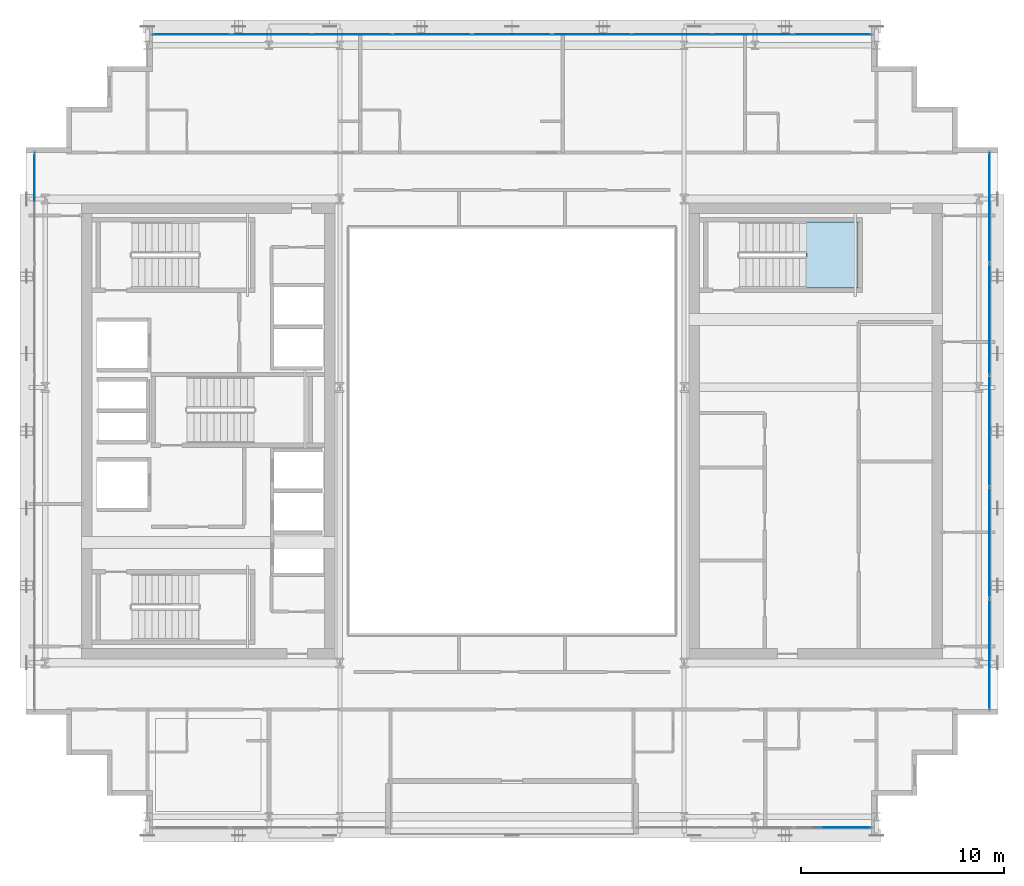
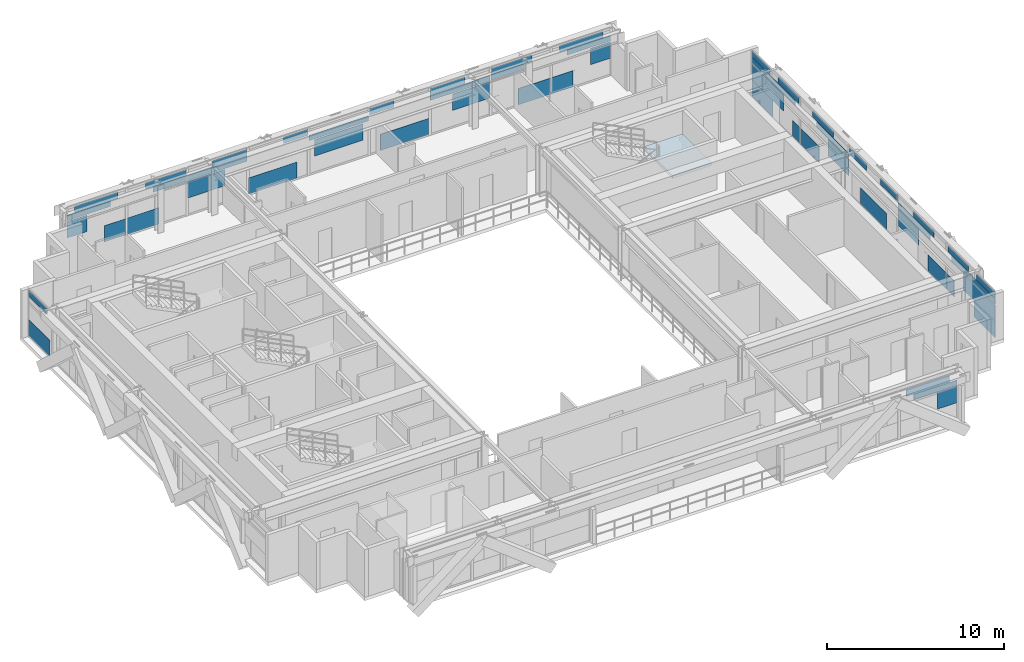
# One storey, part 21 of 32: 54 plates, 1 slab, 5 elements without a shape of their own.
"""IFC4 building model written with IfcOpenShell, lengths in metres."""

from ifc_helpers import new_model, si_unit, direction, frame, origin, origin_2d, place, context, subcontext, project, spatial, polyline, rectangle, outline, extrude, source, transform, mapped, material, layer, layer_set, type_object, element, aggregate, save


model = new_model("IFC4")

# Units and contexts
model_context = context("Model", 3, precision=1e-05, world=origin(), true_north=direction((0.0, 1.0)))
body_context = subcontext(model_context, "Body", "Model", "MODEL_VIEW")
ifc_project = project(units=[si_unit("LENGTHUNIT", "METRE"), si_unit("AREAUNIT", "SQUARE_METRE"), si_unit("VOLUMEUNIT", "CUBIC_METRE"), si_unit("PLANEANGLEUNIT", "RADIAN"), si_unit("MASSUNIT", "GRAM", prefix="KILO")], contexts=[model_context])

# Site, building, storey
site_placement = place(None, origin())
site = spatial("IfcSite", under=ifc_project, at=site_placement, CompositionType="ELEMENT")
building_placement = place(site_placement, origin())
building = spatial("IfcBuilding", under=site, at=building_placement, Name="Ocotamira Hotel", CompositionType="ELEMENT")
storey_placement = place(building_placement, frame((0.0, 0.0, 217.199951171875)))
storey = spatial("IfcBuildingStorey", under=building, at=storey_placement, Name="L55", CompositionType="ELEMENT", Elevation=217.199951171875)

# Stair, slab
ifc_material_1 = material(Name="Concrete C40/50", Category="concrete")
stair_type = type_object("IfcStairType", Name="ST-CORE-1560", PredefinedType="HALF_TURN_STAIR", material=ifc_material_1)
stair_placement = place(storey_placement, origin())
stair = element("IfcStair", 1, at=stair_placement, inside=storey, type_object=stair_type, Name="L55 Exit Stair ST-4", PredefinedType="HALF_TURN_STAIR")
ifc_layer_1 = layer(ifc_material_1, 0.199951171875)
ifc_layer_set_1 = layer_set([ifc_layer_1], Name="Concrete C40/50")
slab_type = type_object("IfcSlabType", Name="SLB-LAND-200", PredefinedType="LANDING", material=ifc_layer_set_1)
slab_placement = place(storey_placement, frame((0.0, 0.0, 1.60009765625)))
slab = element("IfcSlab", 2, at=slab_placement, type_object=slab_type, Name="ST-4 landing 1", PredefinedType="LANDING", context=body_context, shape_type="SweptSolid", body=[
    extrude(outline(polyline([(46.530029296875, 33.050048828125), (49.090087890625, 33.050048828125), (49.090087890625, 36.330078125), (46.530029296875, 36.330078125), (46.530029296875, 33.050048828125)])), origin(), (0.0, 0.0, 1.0), 0.199951171875),
])
aggregate(stair, [slab])

# Curtain wall, plate
ifc_material_2 = material(Name="Anodised pale-metal aluminium and solar glass", Category="aluminium")
ifc_layer_2 = layer(ifc_material_2, 0.199951171875)
ifc_layer_set_2 = layer_set([ifc_layer_2], Name="Anodised pale-metal aluminium and solar glass")
curtain_wall_type = type_object("IfcCurtainWallType", Name="CW-SYS4-Z3", PredefinedType="NOTDEFINED", material=ifc_layer_set_2)
curtain_wall_1_placement = place(storey_placement, origin())
curtain_wall_1 = element("IfcCurtainWall", 3, at=curtain_wall_1_placement, inside=storey, type_object=curtain_wall_type, Name="L55 Curtain Wall CW-4 CW-L55-S2", PredefinedType="NOTDEFINED")
ifc_material_3 = material(Name="Double-silver low-E insulated solar glass", Category="glass")
ifc_layer_3 = layer(ifc_material_3, 0.031982421875)
ifc_layer_set_3 = layer_set([ifc_layer_3], Name="Double-silver low-E insulated solar glass")
plate_type = type_object("IfcPlateType", Name="CWP-VISION-32", PredefinedType="CURTAIN_PANEL", material=ifc_layer_set_3)
shared_shape_1 = source(origin(), body_context, "Body", "SweptSolid", [
    extrude(rectangle(XDim=1.296875, YDim=0.031982421875, at=origin_2d()), origin(), (0.0, 0.0, 1.0), 1.11865234375),
])
plate_1_placement = place(storey_placement, frame((49.071533203125, 6.419921875, 1.19384765625), z_axis=(0.0, 0.0, 1.0), x_axis=(1.0, 0.0, 0.0)))
plate_1 = element("IfcPlate", 4, at=plate_1_placement, type_object=plate_type, Name="CW-4 panel 3.1.2", PredefinedType="CURTAIN_PANEL", context=body_context, shape_type="MappedRepresentation", body=[
    mapped(shared_shape_1, transform((0.0, 0.0, 0.0), scale=1.0)),
])

# Curtain wall, plates
curtain_wall_2_placement = place(storey_placement, origin())
curtain_wall_2 = element("IfcCurtainWall", 5, at=curtain_wall_2_placement, inside=storey, type_object=curtain_wall_type, Name="L55 Curtain Wall CW-4 CW-L55-N", PredefinedType="NOTDEFINED")
plate_2_placement = place(storey_placement, frame((14.928466796875, 45.580078125, 1.19384765625), z_axis=(0.0, 0.0, 1.0), x_axis=(1.0, 0.0, 0.0)))
plate_2 = element("IfcPlate", 6, at=plate_2_placement, type_object=plate_type, Name="CW-4 panel 1.1.1", PredefinedType="CURTAIN_PANEL", context=body_context, shape_type="MappedRepresentation", body=[
    mapped(shared_shape_1, transform((0.0, 0.0, 0.0), scale=1.0)),
])
plate_3_placement = place(storey_placement, frame((49.071533203125, 45.580078125, 1.19384765625), z_axis=(0.0, 0.0, 1.0), x_axis=(1.0, 0.0, 0.0)))
plate_3 = element("IfcPlate", 7, at=plate_3_placement, type_object=plate_type, Name="CW-4 panel 9.1.2", PredefinedType="CURTAIN_PANEL", context=body_context, shape_type="MappedRepresentation", body=[
    mapped(shared_shape_1, transform((0.0, 0.0, 0.0), scale=1.0)),
])

# Plate
shared_shape_2 = source(origin(), body_context, "Body", "SweptSolid", [
    extrude(rectangle(XDim=2.8271484375, YDim=0.031982421875, at=origin_2d()), origin(), (0.0, 0.0, 1.0), 0.35400390625),
])
plate_4_placement = place(storey_placement, frame((48.306396484375, 6.419921875, 2.3876953125), z_axis=(0.0, 0.0, 1.0), x_axis=(1.0, 0.0, 0.0)))
plate_4 = element("IfcPlate", 8, at=plate_4_placement, type_object=plate_type, Name="CW-4 panel 3.2.2", PredefinedType="CURTAIN_PANEL", context=body_context, shape_type="MappedRepresentation", body=[
    mapped(shared_shape_2, transform((0.0, 0.0, 0.0), scale=1.0)),
])

plate_5_placement = place(storey_placement, frame((15.693603515625, 45.580078125, 2.3876953125), z_axis=(0.0, 0.0, 1.0), x_axis=(1.0, 0.0, 0.0)))
plate_5 = element("IfcPlate", 9, at=plate_5_placement, type_object=plate_type, Name="CW-4 panel 1.2.1", PredefinedType="CURTAIN_PANEL", context=body_context, shape_type="MappedRepresentation", body=[
    mapped(shared_shape_2, transform((0.0, 0.0, 0.0), scale=1.0)),
])

plate_6_placement = place(storey_placement, frame((48.306396484375, 45.580078125, 2.3876953125), z_axis=(0.0, 0.0, 1.0), x_axis=(1.0, 0.0, 0.0)))
plate_6 = element("IfcPlate", 10, at=plate_6_placement, type_object=plate_type, Name="CW-4 panel 9.2.2", PredefinedType="CURTAIN_PANEL", context=body_context, shape_type="MappedRepresentation", body=[
    mapped(shared_shape_2, transform((0.0, 0.0, 0.0), scale=1.0)),
])

shared_shape_3 = source(origin(), body_context, "Body", "SweptSolid", [
    extrude(rectangle(XDim=2.82080078125, YDim=0.031982421875, at=origin_2d()), origin(), (0.0, 0.0, 1.0), 0.435546875),
])
plate_7_placement = place(storey_placement, frame((47.813720703125, 6.419921875, 2.76953125), z_axis=(0.0, 0.0, 1.0), x_axis=(1.0, 0.0, 0.0)))
plate_7 = element("IfcPlate", 11, at=plate_7_placement, type_object=plate_type, Name="CW-4 panel 3.2.1", PredefinedType="CURTAIN_PANEL", context=body_context, shape_type="MappedRepresentation", body=[
    mapped(shared_shape_3, transform((0.0, 0.0, 0.0), scale=1.0)),
])

aggregate(curtain_wall_1, [plate_1, plate_7, plate_4])

plate_8_placement = place(storey_placement, frame((16.186279296875, 45.580078125, 2.76953125), z_axis=(0.0, 0.0, 1.0), x_axis=(1.0, 0.0, 0.0)))
plate_8 = element("IfcPlate", 12, at=plate_8_placement, type_object=plate_type, Name="CW-4 panel 1.2.2", PredefinedType="CURTAIN_PANEL", context=body_context, shape_type="MappedRepresentation", body=[
    mapped(shared_shape_3, transform((0.0, 0.0, 0.0), scale=1.0)),
])

plate_9_placement = place(storey_placement, frame((47.813720703125, 45.580078125, 2.76953125), z_axis=(0.0, 0.0, 1.0), x_axis=(1.0, 0.0, 0.0)))
plate_9 = element("IfcPlate", 13, at=plate_9_placement, type_object=plate_type, Name="CW-4 panel 9.2.1", PredefinedType="CURTAIN_PANEL", context=body_context, shape_type="MappedRepresentation", body=[
    mapped(shared_shape_3, transform((0.0, 0.0, 0.0), scale=1.0)),
])

shared_shape_4 = source(origin(), body_context, "Body", "SweptSolid", [
    extrude(rectangle(XDim=1.400634765625, YDim=0.031982421875, at=origin_2d()), origin(), (0.0, 0.0, 1.0), 1.118896484375),
])
plate_10_placement = place(storey_placement, frame((17.415283203125, 45.580078125, 0.0751953125), z_axis=(0.0, 0.0, 1.0), x_axis=(1.0, 0.0, 0.0)))
plate_10 = element("IfcPlate", 14, at=plate_10_placement, type_object=plate_type, Name="CW-4 panel 1.1.2", PredefinedType="CURTAIN_PANEL", context=body_context, shape_type="MappedRepresentation", body=[
    mapped(shared_shape_4, transform((0.0, 0.0, 0.0), scale=1.0)),
])

plate_11_placement = place(storey_placement, frame((46.584716796875, 45.580078125, 0.0751953125), z_axis=(0.0, 0.0, 1.0), x_axis=(1.0, 0.0, 0.0)))
plate_11 = element("IfcPlate", 15, at=plate_11_placement, type_object=plate_type, Name="CW-4 panel 9.1.1", PredefinedType="CURTAIN_PANEL", context=body_context, shape_type="MappedRepresentation", body=[
    mapped(shared_shape_4, transform((0.0, 0.0, 0.0), scale=1.0)),
])

shared_shape_5 = source(origin(), body_context, "Body", "SweptSolid", [
    extrude(rectangle(XDim=2.089599609375, YDim=0.031982421875, at=origin_2d()), origin(), (0.0, 0.0, 1.0), 1.118896484375),
])
plate_12_placement = place(storey_placement, frame((19.240234375, 45.580078125, 0.0751953125), z_axis=(0.0, 0.0, 1.0), x_axis=(1.0, 0.0, 0.0)))
plate_12 = element("IfcPlate", 16, at=plate_12_placement, type_object=plate_type, Name="CW-4 panel 2.1.1", PredefinedType="CURTAIN_PANEL", context=body_context, shape_type="MappedRepresentation", body=[
    mapped(shared_shape_5, transform((0.0, 0.0, 0.0), scale=1.0)),
])

plate_13_placement = place(storey_placement, frame((44.759765625, 45.580078125, 0.0751953125), z_axis=(0.0, 0.0, 1.0), x_axis=(1.0, 0.0, 0.0)))
plate_13 = element("IfcPlate", 17, at=plate_13_placement, type_object=plate_type, Name="CW-4 panel 8.1.1", PredefinedType="CURTAIN_PANEL", context=body_context, shape_type="MappedRepresentation", body=[
    mapped(shared_shape_5, transform((0.0, 0.0, 0.0), scale=1.0)),
])

shared_shape_6 = source(origin(), body_context, "Body", "SweptSolid", [
    extrude(rectangle(XDim=2.66796875, YDim=0.031982421875, at=origin_2d()), origin(), (0.0, 0.0, 1.0), 0.435546875),
])
plate_14_placement = place(storey_placement, frame((20.737060546875, 45.580078125, 2.76953125), z_axis=(0.0, 0.0, 1.0), x_axis=(1.0, 0.0, 0.0)))
plate_14 = element("IfcPlate", 18, at=plate_14_placement, type_object=plate_type, Name="CW-4 panel 2.2.1", PredefinedType="CURTAIN_PANEL", context=body_context, shape_type="MappedRepresentation", body=[
    mapped(shared_shape_6, transform((0.0, 0.0, 0.0), scale=1.0)),
])

plate_15_placement = place(storey_placement, frame((43.262939453125, 45.580078125, 2.76953125), z_axis=(0.0, 0.0, 1.0), x_axis=(1.0, 0.0, 0.0)))
plate_15 = element("IfcPlate", 19, at=plate_15_placement, type_object=plate_type, Name="CW-4 panel 8.2.2", PredefinedType="CURTAIN_PANEL", context=body_context, shape_type="MappedRepresentation", body=[
    mapped(shared_shape_6, transform((0.0, 0.0, 0.0), scale=1.0)),
])

shared_shape_7 = source(origin(), body_context, "Body", "SweptSolid", [
    extrude(rectangle(XDim=2.17822265625, YDim=0.031982421875, at=origin_2d()), origin(), (0.0, 0.0, 1.0), 0.3818359375),
])
plate_16_placement = place(storey_placement, frame((20.98193359375, 45.580078125, 2.3876953125), z_axis=(0.0, 0.0, 1.0), x_axis=(1.0, 0.0, 0.0)))
plate_16 = element("IfcPlate", 20, at=plate_16_placement, type_object=plate_type, Name="CW-4 panel 2.2.2", PredefinedType="CURTAIN_PANEL", context=body_context, shape_type="MappedRepresentation", body=[
    mapped(shared_shape_7, transform((0.0, 0.0, 0.0), scale=1.0)),
])

plate_17_placement = place(storey_placement, frame((43.01806640625, 45.580078125, 2.3876953125), z_axis=(0.0, 0.0, 1.0), x_axis=(1.0, 0.0, 0.0)))
plate_17 = element("IfcPlate", 21, at=plate_17_placement, type_object=plate_type, Name="CW-4 panel 8.2.1", PredefinedType="CURTAIN_PANEL", context=body_context, shape_type="MappedRepresentation", body=[
    mapped(shared_shape_7, transform((0.0, 0.0, 0.0), scale=1.0)),
])

shared_shape_8 = source(origin(), body_context, "Body", "SweptSolid", [
    extrude(rectangle(XDim=2.425537109375, YDim=0.031982421875, at=origin_2d()), origin(), (0.0, 0.0, 1.0), 1.11865234375),
])
plate_18_placement = place(storey_placement, frame((23.364013671875, 45.580078125, 1.19384765625), z_axis=(0.0, 0.0, 1.0), x_axis=(1.0, 0.0, 0.0)))
plate_18 = element("IfcPlate", 22, at=plate_18_placement, type_object=plate_type, Name="CW-4 panel 3.1.1", PredefinedType="CURTAIN_PANEL", context=body_context, shape_type="MappedRepresentation", body=[
    mapped(shared_shape_8, transform((0.0, 0.0, 0.0), scale=1.0)),
])

plate_19_placement = place(storey_placement, frame((40.635986328125, 45.580078125, 1.19384765625), z_axis=(0.0, 0.0, 1.0), x_axis=(1.0, 0.0, 0.0)))
plate_19 = element("IfcPlate", 23, at=plate_19_placement, type_object=plate_type, Name="CW-4 panel 7.1.1", PredefinedType="CURTAIN_PANEL", context=body_context, shape_type="MappedRepresentation", body=[
    mapped(shared_shape_8, transform((0.0, 0.0, 0.0), scale=1.0)),
])

shared_shape_9 = source(origin(), body_context, "Body", "SweptSolid", [
    extrude(rectangle(XDim=3.87548828125, YDim=0.031982421875, at=origin_2d()), origin(), (0.0, 0.0, 1.0), 0.35400390625),
])
plate_20_placement = place(storey_placement, frame((24.0888671875, 45.580078125, 2.3876953125), z_axis=(0.0, 0.0, 1.0), x_axis=(1.0, 0.0, 0.0)))
plate_20 = element("IfcPlate", 24, at=plate_20_placement, type_object=plate_type, Name="CW-4 panel 3.2.1", PredefinedType="CURTAIN_PANEL", context=body_context, shape_type="MappedRepresentation", body=[
    mapped(shared_shape_9, transform((0.0, 0.0, 0.0), scale=1.0)),
])

plate_21_placement = place(storey_placement, frame((32.0, 45.580078125, 2.3876953125), z_axis=(0.0, 0.0, 1.0), x_axis=(1.0, 0.0, 0.0)))
plate_21 = element("IfcPlate", 25, at=plate_21_placement, type_object=plate_type, Name="CW-4 panel 5.2.1", PredefinedType="CURTAIN_PANEL", context=body_context, shape_type="MappedRepresentation", body=[
    mapped(shared_shape_9, transform((0.0, 0.0, 0.0), scale=1.0)),
])

plate_22_placement = place(storey_placement, frame((39.9111328125, 45.580078125, 2.3876953125), z_axis=(0.0, 0.0, 1.0), x_axis=(1.0, 0.0, 0.0)))
plate_22 = element("IfcPlate", 26, at=plate_22_placement, type_object=plate_type, Name="CW-4 panel 7.2.1", PredefinedType="CURTAIN_PANEL", context=body_context, shape_type="MappedRepresentation", body=[
    mapped(shared_shape_9, transform((0.0, 0.0, 0.0), scale=1.0)),
])

shared_shape_10 = source(origin(), body_context, "Body", "SweptSolid", [
    extrude(rectangle(XDim=2.250732421875, YDim=0.031982421875, at=origin_2d()), origin(), (0.0, 0.0, 1.0), 0.46337890625),
])
plate_23_placement = place(storey_placement, frame((24.9013671875, 45.580078125, 2.74169921875), z_axis=(0.0, 0.0, 1.0), x_axis=(1.0, 0.0, 0.0)))
plate_23 = element("IfcPlate", 27, at=plate_23_placement, type_object=plate_type, Name="CW-4 panel 3.2.2", PredefinedType="CURTAIN_PANEL", context=body_context, shape_type="MappedRepresentation", body=[
    mapped(shared_shape_10, transform((0.0, 0.0, 0.0), scale=1.0)),
])

plate_24_placement = place(storey_placement, frame((39.0986328125, 45.580078125, 2.74169921875), z_axis=(0.0, 0.0, 1.0), x_axis=(1.0, 0.0, 0.0)))
plate_24 = element("IfcPlate", 28, at=plate_24_placement, type_object=plate_type, Name="CW-4 panel 7.2.2", PredefinedType="CURTAIN_PANEL", context=body_context, shape_type="MappedRepresentation", body=[
    mapped(shared_shape_10, transform((0.0, 0.0, 0.0), scale=1.0)),
])

shared_shape_11 = source(origin(), body_context, "Body", "SweptSolid", [
    extrude(rectangle(XDim=3.178466796875, YDim=0.031982421875, at=origin_2d()), origin(), (0.0, 0.0, 1.0), 1.118896484375),
])
plate_25_placement = place(storey_placement, frame((27.69580078125, 45.580078125, 0.0751953125), z_axis=(0.0, 0.0, 1.0), x_axis=(1.0, 0.0, 0.0)))
plate_25 = element("IfcPlate", 29, at=plate_25_placement, type_object=plate_type, Name="CW-4 panel 4.1.1", PredefinedType="CURTAIN_PANEL", context=body_context, shape_type="MappedRepresentation", body=[
    mapped(shared_shape_11, transform((0.0, 0.0, 0.0), scale=1.0)),
])

plate_26_placement = place(storey_placement, frame((36.30419921875, 45.580078125, 0.0751953125), z_axis=(0.0, 0.0, 1.0), x_axis=(1.0, 0.0, 0.0)))
plate_26 = element("IfcPlate", 30, at=plate_26_placement, type_object=plate_type, Name="CW-4 panel 6.1.1", PredefinedType="CURTAIN_PANEL", context=body_context, shape_type="MappedRepresentation", body=[
    mapped(shared_shape_11, transform((0.0, 0.0, 0.0), scale=1.0)),
])

shared_shape_12 = source(origin(), body_context, "Body", "SweptSolid", [
    extrude(rectangle(XDim=1.5791015625, YDim=0.031982421875, at=origin_2d()), origin(), (0.0, 0.0, 1.0), 0.435546875),
])
plate_27_placement = place(storey_placement, frame((29.192626953125, 45.580078125, 2.76953125), z_axis=(0.0, 0.0, 1.0), x_axis=(1.0, 0.0, 0.0)))
plate_27 = element("IfcPlate", 31, at=plate_27_placement, type_object=plate_type, Name="CW-4 panel 4.2.1", PredefinedType="CURTAIN_PANEL", context=body_context, shape_type="MappedRepresentation", body=[
    mapped(shared_shape_12, transform((0.0, 0.0, 0.0), scale=1.0)),
])

plate_28_placement = place(storey_placement, frame((34.807373046875, 45.580078125, 2.76953125), z_axis=(0.0, 0.0, 1.0), x_axis=(1.0, 0.0, 0.0)))
plate_28 = element("IfcPlate", 32, at=plate_28_placement, type_object=plate_type, Name="CW-4 panel 6.2.1", PredefinedType="CURTAIN_PANEL", context=body_context, shape_type="MappedRepresentation", body=[
    mapped(shared_shape_12, transform((0.0, 0.0, 0.0), scale=1.0)),
])

shared_shape_13 = source(origin(), body_context, "Body", "SweptSolid", [
    extrude(rectangle(XDim=3.153564453125, YDim=0.031982421875, at=origin_2d()), origin(), (0.0, 0.0, 1.0), 1.11865234375),
])
plate_29_placement = place(storey_placement, frame((32.0, 45.580078125, 1.19384765625), z_axis=(0.0, 0.0, 1.0), x_axis=(1.0, 0.0, 0.0)))
plate_29 = element("IfcPlate", 33, at=plate_29_placement, type_object=plate_type, Name="CW-4 panel 5.1.1", PredefinedType="CURTAIN_PANEL", context=body_context, shape_type="MappedRepresentation", body=[
    mapped(shared_shape_13, transform((0.0, 0.0, 0.0), scale=1.0)),
])

aggregate(curtain_wall_2, [plate_2, plate_10, plate_5, plate_8, plate_12, plate_14, plate_16, plate_18, plate_20, plate_23, plate_25, plate_27, plate_29, plate_21, plate_26, plate_28, plate_19, plate_22, plate_24, plate_13, plate_17, plate_15, plate_11, plate_3, plate_9, plate_6])

# Curtain wall, plate
curtain_wall_3_placement = place(storey_placement, origin())
curtain_wall_3 = element("IfcCurtainWall", 34, at=curtain_wall_3_placement, inside=storey, type_object=curtain_wall_type, Name="L55 Curtain Wall CW-4 CW-L55-W", PredefinedType="NOTDEFINED")
shared_shape_14 = source(origin(), body_context, "Body", "SweptSolid", [
    extrude(rectangle(XDim=2.3564453125, YDim=0.031982421875, at=origin_2d()), origin(), (0.0, 0.0, 1.0), 1.118896484375),
])
plate_30_placement = place(storey_placement, frame((8.419921875, 38.541748046875, 0.0751953125), z_axis=(0.0, 0.0, 1.0), x_axis=(0.0, 1.0, 0.0)))
plate_30 = element("IfcPlate", 35, at=plate_30_placement, type_object=plate_type, Name="CW-4 panel 5.1.3", PredefinedType="CURTAIN_PANEL", context=body_context, shape_type="MappedRepresentation", body=[
    mapped(shared_shape_14, transform((0.0, 0.0, 0.0), scale=1.0)),
])

# Curtain wall, plates
curtain_wall_4_placement = place(storey_placement, origin())
curtain_wall_4 = element("IfcCurtainWall", 36, at=curtain_wall_4_placement, inside=storey, type_object=curtain_wall_type, Name="L55 Curtain Wall CW-4 CW-L55-E", PredefinedType="NOTDEFINED")
plate_31_placement = place(storey_placement, frame((55.580078125, 13.458251953125, 0.0751953125), z_axis=(0.0, 0.0, 1.0), x_axis=(0.0, 1.0, 0.0)))
plate_31 = element("IfcPlate", 37, at=plate_31_placement, type_object=plate_type, Name="CW-4 panel 1.1.1", PredefinedType="CURTAIN_PANEL", context=body_context, shape_type="MappedRepresentation", body=[
    mapped(shared_shape_14, transform((0.0, 0.0, 0.0), scale=1.0)),
])
plate_32_placement = place(storey_placement, frame((55.580078125, 38.541748046875, 0.0751953125), z_axis=(0.0, 0.0, 1.0), x_axis=(0.0, 1.0, 0.0)))
plate_32 = element("IfcPlate", 38, at=plate_32_placement, type_object=plate_type, Name="CW-4 panel 5.1.3", PredefinedType="CURTAIN_PANEL", context=body_context, shape_type="MappedRepresentation", body=[
    mapped(shared_shape_14, transform((0.0, 0.0, 0.0), scale=1.0)),
])
shared_shape_15 = source(origin(), body_context, "Body", "SweptSolid", [
    extrude(rectangle(XDim=3.572998046875, YDim=0.031982421875, at=origin_2d()), origin(), (0.0, 0.0, 1.0), 1.11865234375),
])
plate_33_placement = place(storey_placement, frame((55.580078125, 14.06640625, 1.19384765625), z_axis=(0.0, 0.0, 1.0), x_axis=(0.0, 1.0, 0.0)))
plate_33 = element("IfcPlate", 39, at=plate_33_placement, type_object=plate_type, Name="CW-4 panel 1.1.2", PredefinedType="CURTAIN_PANEL", context=body_context, shape_type="MappedRepresentation", body=[
    mapped(shared_shape_15, transform((0.0, 0.0, 0.0), scale=1.0)),
])
plate_34_placement = place(storey_placement, frame((55.580078125, 37.93359375, 1.19384765625), z_axis=(0.0, 0.0, 1.0), x_axis=(0.0, 1.0, 0.0)))
plate_34 = element("IfcPlate", 40, at=plate_34_placement, type_object=plate_type, Name="CW-4 panel 5.1.2", PredefinedType="CURTAIN_PANEL", context=body_context, shape_type="MappedRepresentation", body=[
    mapped(shared_shape_15, transform((0.0, 0.0, 0.0), scale=1.0)),
])
shared_shape_16 = source(origin(), body_context, "Body", "SweptSolid", [
    extrude(rectangle(XDim=0.79296875, YDim=0.031982421875, at=origin_2d()), origin(), (0.0, 0.0, 1.0), 1.118896484375),
])
plate_35_placement = place(storey_placement, frame((55.580078125, 17.283447265625, 0.0751953125), z_axis=(0.0, 0.0, 1.0), x_axis=(0.0, 1.0, 0.0)))
plate_35 = element("IfcPlate", 41, at=plate_35_placement, type_object=plate_type, Name="CW-4 panel 1.1.3", PredefinedType="CURTAIN_PANEL", context=body_context, shape_type="MappedRepresentation", body=[
    mapped(shared_shape_16, transform((0.0, 0.0, 0.0), scale=1.0)),
])
plate_36_placement = place(storey_placement, frame((55.580078125, 34.716552734375, 0.0751953125), z_axis=(0.0, 0.0, 1.0), x_axis=(0.0, 1.0, 0.0)))
plate_36 = element("IfcPlate", 42, at=plate_36_placement, type_object=plate_type, Name="CW-4 panel 5.1.1", PredefinedType="CURTAIN_PANEL", context=body_context, shape_type="MappedRepresentation", body=[
    mapped(shared_shape_16, transform((0.0, 0.0, 0.0), scale=1.0)),
])
shared_shape_17 = source(origin(), body_context, "Body", "SweptSolid", [
    extrude(rectangle(XDim=4.870849609375, YDim=0.031982421875, at=origin_2d()), origin(), (0.0, 0.0, 1.0), 0.371337890625),
])
plate_37_placement = place(storey_placement, frame((55.580078125, 14.715576171875, 2.3876953125), z_axis=(0.0, 0.0, 1.0), x_axis=(0.0, 1.0, 0.0)))
plate_37 = element("IfcPlate", 43, at=plate_37_placement, type_object=plate_type, Name="CW-4 panel 1.2.1", PredefinedType="CURTAIN_PANEL", context=body_context, shape_type="MappedRepresentation", body=[
    mapped(shared_shape_17, transform((0.0, 0.0, 0.0), scale=1.0)),
])
plate_38_placement = place(storey_placement, frame((55.580078125, 37.284423828125, 2.3876953125), z_axis=(0.0, 0.0, 1.0), x_axis=(0.0, 1.0, 0.0)))
plate_38 = element("IfcPlate", 44, at=plate_38_placement, type_object=plate_type, Name="CW-4 panel 5.2.2", PredefinedType="CURTAIN_PANEL", context=body_context, shape_type="MappedRepresentation", body=[
    mapped(shared_shape_17, transform((0.0, 0.0, 0.0), scale=1.0)),
])

# Plate
shared_shape_18 = source(origin(), body_context, "Body", "SweptSolid", [
    extrude(rectangle(XDim=2.069580078125, YDim=0.031982421875, at=origin_2d()), origin(), (0.0, 0.0, 1.0), 0.415771484375),
])
plate_39_placement = place(storey_placement, frame((8.419921875, 38.685302734375, 2.78955078125), z_axis=(0.0, 0.0, 1.0), x_axis=(0.0, 1.0, 0.0)))
plate_39 = element("IfcPlate", 45, at=plate_39_placement, type_object=plate_type, Name="CW-4 panel 5.2.3", PredefinedType="CURTAIN_PANEL", context=body_context, shape_type="MappedRepresentation", body=[
    mapped(shared_shape_18, transform((0.0, 0.0, 0.0), scale=1.0)),
])

aggregate(curtain_wall_3, [plate_30, plate_39])

plate_40_placement = place(storey_placement, frame((55.580078125, 13.314697265625, 2.78955078125), z_axis=(0.0, 0.0, 1.0), x_axis=(0.0, 1.0, 0.0)))
plate_40 = element("IfcPlate", 46, at=plate_40_placement, type_object=plate_type, Name="CW-4 panel 1.2.2", PredefinedType="CURTAIN_PANEL", context=body_context, shape_type="MappedRepresentation", body=[
    mapped(shared_shape_18, transform((0.0, 0.0, 0.0), scale=1.0)),
])

plate_41_placement = place(storey_placement, frame((55.580078125, 38.685302734375, 2.78955078125), z_axis=(0.0, 0.0, 1.0), x_axis=(0.0, 1.0, 0.0)))
plate_41 = element("IfcPlate", 47, at=plate_41_placement, type_object=plate_type, Name="CW-4 panel 5.2.3", PredefinedType="CURTAIN_PANEL", context=body_context, shape_type="MappedRepresentation", body=[
    mapped(shared_shape_18, transform((0.0, 0.0, 0.0), scale=1.0)),
])

shared_shape_19 = source(origin(), body_context, "Body", "SweptSolid", [
    extrude(rectangle(XDim=2.3447265625, YDim=0.031982421875, at=origin_2d()), origin(), (0.0, 0.0, 1.0), 0.415771484375),
])
plate_42_placement = place(storey_placement, frame((55.580078125, 16.41552734375, 2.78955078125), z_axis=(0.0, 0.0, 1.0), x_axis=(0.0, 1.0, 0.0)))
plate_42 = element("IfcPlate", 48, at=plate_42_placement, type_object=plate_type, Name="CW-4 panel 1.2.3", PredefinedType="CURTAIN_PANEL", context=body_context, shape_type="MappedRepresentation", body=[
    mapped(shared_shape_19, transform((0.0, 0.0, 0.0), scale=1.0)),
])

plate_43_placement = place(storey_placement, frame((55.580078125, 20.31787109375, 2.78955078125), z_axis=(0.0, 0.0, 1.0), x_axis=(0.0, 1.0, 0.0)))
plate_43 = element("IfcPlate", 49, at=plate_43_placement, type_object=plate_type, Name="CW-4 panel 2.2.1", PredefinedType="CURTAIN_PANEL", context=body_context, shape_type="MappedRepresentation", body=[
    mapped(shared_shape_19, transform((0.0, 0.0, 0.0), scale=1.0)),
])

plate_44_placement = place(storey_placement, frame((55.580078125, 31.68212890625, 2.78955078125), z_axis=(0.0, 0.0, 1.0), x_axis=(0.0, 1.0, 0.0)))
plate_44 = element("IfcPlate", 50, at=plate_44_placement, type_object=plate_type, Name="CW-4 panel 4.2.2", PredefinedType="CURTAIN_PANEL", context=body_context, shape_type="MappedRepresentation", body=[
    mapped(shared_shape_19, transform((0.0, 0.0, 0.0), scale=1.0)),
])

plate_45_placement = place(storey_placement, frame((55.580078125, 35.58447265625, 2.78955078125), z_axis=(0.0, 0.0, 1.0), x_axis=(0.0, 1.0, 0.0)))
plate_45 = element("IfcPlate", 51, at=plate_45_placement, type_object=plate_type, Name="CW-4 panel 5.2.1", PredefinedType="CURTAIN_PANEL", context=body_context, shape_type="MappedRepresentation", body=[
    mapped(shared_shape_19, transform((0.0, 0.0, 0.0), scale=1.0)),
])

shared_shape_20 = source(origin(), body_context, "Body", "SweptSolid", [
    extrude(rectangle(XDim=2.086181640625, YDim=0.031982421875, at=origin_2d()), origin(), (0.0, 0.0, 1.0), 1.118896484375),
])
plate_46_placement = place(storey_placement, frame((55.580078125, 18.802978515625, 0.0751953125), z_axis=(0.0, 0.0, 1.0), x_axis=(0.0, 1.0, 0.0)))
plate_46 = element("IfcPlate", 52, at=plate_46_placement, type_object=plate_type, Name="CW-4 panel 2.1.1", PredefinedType="CURTAIN_PANEL", context=body_context, shape_type="MappedRepresentation", body=[
    mapped(shared_shape_20, transform((0.0, 0.0, 0.0), scale=1.0)),
])

plate_47_placement = place(storey_placement, frame((55.580078125, 33.197021484375, 0.0751953125), z_axis=(0.0, 0.0, 1.0), x_axis=(0.0, 1.0, 0.0)))
plate_47 = element("IfcPlate", 53, at=plate_47_placement, type_object=plate_type, Name="CW-4 panel 4.1.2", PredefinedType="CURTAIN_PANEL", context=body_context, shape_type="MappedRepresentation", body=[
    mapped(shared_shape_20, transform((0.0, 0.0, 0.0), scale=1.0)),
])

shared_shape_21 = source(origin(), body_context, "Body", "SweptSolid", [
    extrude(rectangle(XDim=2.319580078125, YDim=0.031982421875, at=origin_2d()), origin(), (0.0, 0.0, 1.0), 1.11865234375),
])
plate_48_placement = place(storey_placement, frame((55.580078125, 22.040283203125, 1.19384765625), z_axis=(0.0, 0.0, 1.0), x_axis=(0.0, 1.0, 0.0)))
plate_48 = element("IfcPlate", 54, at=plate_48_placement, type_object=plate_type, Name="CW-4 panel 2.1.2", PredefinedType="CURTAIN_PANEL", context=body_context, shape_type="MappedRepresentation", body=[
    mapped(shared_shape_21, transform((0.0, 0.0, 0.0), scale=1.0)),
])

plate_49_placement = place(storey_placement, frame((55.580078125, 29.959716796875, 1.19384765625), z_axis=(0.0, 0.0, 1.0), x_axis=(0.0, 1.0, 0.0)))
plate_49 = element("IfcPlate", 55, at=plate_49_placement, type_object=plate_type, Name="CW-4 panel 4.1.1", PredefinedType="CURTAIN_PANEL", context=body_context, shape_type="MappedRepresentation", body=[
    mapped(shared_shape_21, transform((0.0, 0.0, 0.0), scale=1.0)),
])

shared_shape_22 = source(origin(), body_context, "Body", "SweptSolid", [
    extrude(rectangle(XDim=3.61767578125, YDim=0.031982421875, at=origin_2d()), origin(), (0.0, 0.0, 1.0), 0.371337890625),
])
plate_50_placement = place(storey_placement, frame((55.580078125, 21.39111328125, 2.3876953125), z_axis=(0.0, 0.0, 1.0), x_axis=(0.0, 1.0, 0.0)))
plate_50 = element("IfcPlate", 56, at=plate_50_placement, type_object=plate_type, Name="CW-4 panel 2.2.2", PredefinedType="CURTAIN_PANEL", context=body_context, shape_type="MappedRepresentation", body=[
    mapped(shared_shape_22, transform((0.0, 0.0, 0.0), scale=1.0)),
])

plate_51_placement = place(storey_placement, frame((55.580078125, 30.60888671875, 2.3876953125), z_axis=(0.0, 0.0, 1.0), x_axis=(0.0, 1.0, 0.0)))
plate_51 = element("IfcPlate", 57, at=plate_51_placement, type_object=plate_type, Name="CW-4 panel 4.2.1", PredefinedType="CURTAIN_PANEL", context=body_context, shape_type="MappedRepresentation", body=[
    mapped(shared_shape_22, transform((0.0, 0.0, 0.0), scale=1.0)),
])

shared_shape_23 = source(origin(), body_context, "Body", "SweptSolid", [
    extrude(rectangle(XDim=2.959228515625, YDim=0.031982421875, at=origin_2d()), origin(), (0.0, 0.0, 1.0), 1.118896484375),
])
plate_52_placement = place(storey_placement, frame((55.580078125, 26.0, 0.0751953125), z_axis=(0.0, 0.0, 1.0), x_axis=(0.0, 1.0, 0.0)))
plate_52 = element("IfcPlate", 58, at=plate_52_placement, type_object=plate_type, Name="CW-4 panel 3.1.1", PredefinedType="CURTAIN_PANEL", context=body_context, shape_type="MappedRepresentation", body=[
    mapped(shared_shape_23, transform((0.0, 0.0, 0.0), scale=1.0)),
])

shared_shape_24 = source(origin(), body_context, "Body", "SweptSolid", [
    extrude(rectangle(XDim=1.941162109375, YDim=0.031982421875, at=origin_2d()), origin(), (0.0, 0.0, 1.0), 0.415771484375),
])
plate_53_placement = place(storey_placement, frame((55.580078125, 24.25048828125, 2.78955078125), z_axis=(0.0, 0.0, 1.0), x_axis=(0.0, 1.0, 0.0)))
plate_53 = element("IfcPlate", 59, at=plate_53_placement, type_object=plate_type, Name="CW-4 panel 3.2.1", PredefinedType="CURTAIN_PANEL", context=body_context, shape_type="MappedRepresentation", body=[
    mapped(shared_shape_24, transform((0.0, 0.0, 0.0), scale=1.0)),
])

plate_54_placement = place(storey_placement, frame((55.580078125, 27.74951171875, 2.78955078125), z_axis=(0.0, 0.0, 1.0), x_axis=(0.0, 1.0, 0.0)))
plate_54 = element("IfcPlate", 60, at=plate_54_placement, type_object=plate_type, Name="CW-4 panel 3.2.2", PredefinedType="CURTAIN_PANEL", context=body_context, shape_type="MappedRepresentation", body=[
    mapped(shared_shape_24, transform((0.0, 0.0, 0.0), scale=1.0)),
])

aggregate(curtain_wall_4, [plate_31, plate_33, plate_35, plate_37, plate_40, plate_42, plate_46, plate_48, plate_43, plate_50, plate_52, plate_53, plate_54, plate_49, plate_47, plate_51, plate_44, plate_36, plate_34, plate_32, plate_45, plate_38, plate_41])

save(model, "model.ifc")
